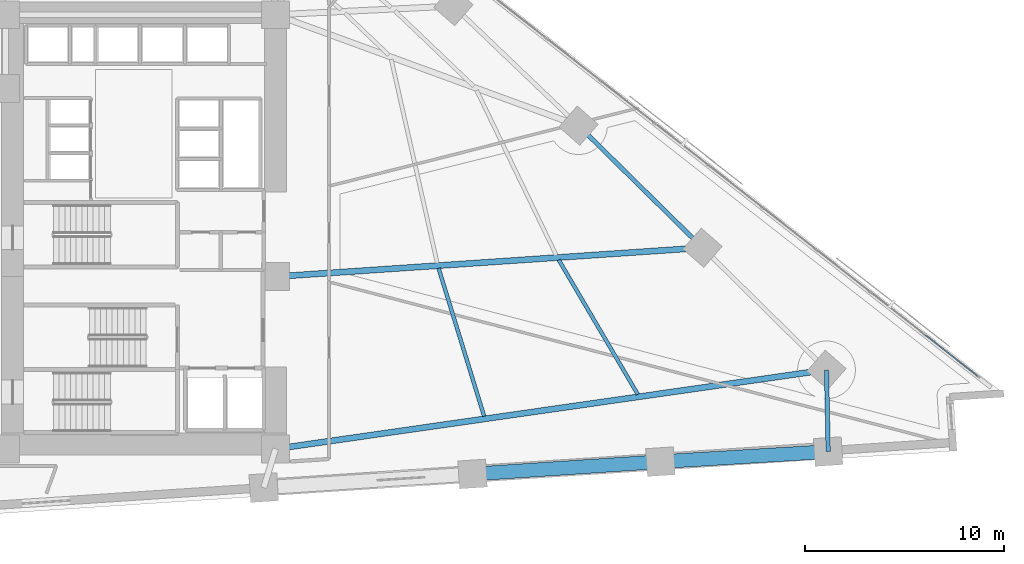
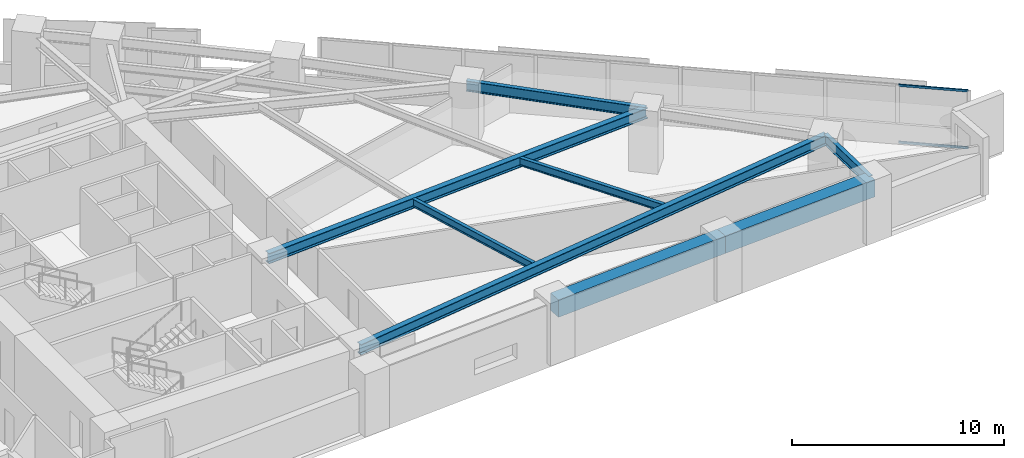
# One storey, part 3 of 16: 8 beams, 2 members, 1 element without a shape of its own.
"""IFC4 building model written with IfcOpenShell, lengths in metres."""

from ifc_helpers import new_model, si_unit, direction, frame, origin, origin_2d, place, context, subcontext, project, spatial, rectangle, hollow_rectangle, i_section, extrude, material, material_profile, profile_set, type_object, element, aggregate, save


model = new_model("IFC4")

# Units and contexts
model_context = context("Model", 3, precision=1e-05, world=origin(), true_north=direction((0.0, 1.0)))
body_context = subcontext(model_context, "Body", "Model", "MODEL_VIEW")
ifc_project = project(units=[si_unit("LENGTHUNIT", "METRE"), si_unit("AREAUNIT", "SQUARE_METRE"), si_unit("VOLUMEUNIT", "CUBIC_METRE"), si_unit("PLANEANGLEUNIT", "RADIAN"), si_unit("MASSUNIT", "GRAM", prefix="KILO")], contexts=[model_context])

# Site, building, storey
site_placement = place(None, origin())
site = spatial("IfcSite", under=ifc_project, at=site_placement, CompositionType="ELEMENT")
building_placement = place(site_placement, origin())
building = spatial("IfcBuilding", under=site, at=building_placement, Name="Narakoshi Arena Tower", CompositionType="ELEMENT")
storey_placement = place(building_placement, frame((0.0, 0.0, 66.89990234375)))
storey = spatial("IfcBuildingStorey", under=building, at=storey_placement, Name="L17", CompositionType="ELEMENT", Elevation=66.89990234375)

# Beams
ifc_material_1 = material(Name="Concrete C60/75", Category="concrete")
ifc_material_profile_1 = material_profile(ifc_material_1, rectangle(XDim=0.699951171875, YDim=1.0, at=origin_2d()), Name="RCB700x1000")
ifc_profile_set_1 = profile_set([ifc_material_profile_1], Name="Concrete C60/75")
beam_type_1 = type_object("IfcBeamType", Name="BM-CPL-1000", PredefinedType="BEAM", material=ifc_profile_set_1)
beam_1_placement = place(storey_placement, frame((95.44189453125, 33.43798828125, 2.840087890625), z_axis=(0.997857667494, 0.065422285367, 0.0), x_axis=(-0.065422285367, 0.997857667494, 0.0)))
element("IfcBeam", 1, at=beam_1_placement, inside=storey, type_object=beam_type_1, Name="L17 Perimeter Edge Girder 02", PredefinedType="BEAM", context=body_context, shape_type="SweptSolid", body=[
    extrude(rectangle(XDim=0.699951171875, YDim=1.0, at=origin_2d()), origin(), (0.0, 0.0, 1.0), 9.456298828125),
])
beam_2_placement = place(storey_placement, frame((104.8779296875, 34.056640625, 2.840087890625), z_axis=(0.998193929855, 0.060073941104, 0.0), x_axis=(-0.060073941104, 0.998193929855, 0.0)))
element("IfcBeam", 2, at=beam_2_placement, inside=storey, type_object=beam_type_1, Name="L17 Perimeter Edge Girder 03", PredefinedType="BEAM", context=body_context, shape_type="SweptSolid", body=[
    extrude(rectangle(XDim=0.699951171875, YDim=1.0, at=origin_2d()), origin(), (0.0, 0.0, 1.0), 8.436767578125),
])
ifc_material_2 = material(Name="Structural steel S355J2", Category="steel")
ifc_material_profile_2 = material_profile(ifc_material_2, i_section(OverallWidth=0.219970703125, OverallDepth=0.60009765625, WebThickness=0.011962890625, FlangeThickness=0.01904296875, FilletRadius=0.02392578125, at=origin_2d()), Name="IPE600")
ifc_profile_set_2 = profile_set([ifc_material_profile_2], Name="Structural steel S355J2")
beam_type_2 = type_object("IfcBeamType", Name="BM-EDGE-600", PredefinedType="BEAM", material=ifc_profile_set_2)
beam_3_placement = place(storey_placement, frame((113.299560546875, 34.5634765625, 3.0400390625), z_axis=(-0.020272933264, 0.99979448297, 0.0), x_axis=(-0.99979448297, -0.020272933264, 0.0)))
element("IfcBeam", 3, at=beam_3_placement, inside=storey, type_object=beam_type_2, Name="L17 Perimeter Edge Girder 04", PredefinedType="BEAM", context=body_context, shape_type="SweptSolid", body=[
    extrude(i_section(OverallWidth=0.219970703125, OverallDepth=0.60009765625, WebThickness=0.011962890625, FlangeThickness=0.01904296875, FilletRadius=0.02392578125, at=origin_2d()), origin(), (0.0, 0.0, 1.0), 4.1064453125),
])
beam_4_placement = place(storey_placement, frame((106.989990234375, 44.800537109375, 3.0400390625), z_axis=(-0.71256144736, 0.701609708981, 0.0), x_axis=(-0.701609708981, -0.71256144736, 0.0)))
element("IfcBeam", 4, at=beam_4_placement, inside=storey, type_object=beam_type_2, Name="L17 Perimeter Edge Girder 06", PredefinedType="BEAM", context=body_context, shape_type="SweptSolid", body=[
    extrude(i_section(OverallWidth=0.219970703125, OverallDepth=0.60009765625, WebThickness=0.011962890625, FlangeThickness=0.01904296875, FilletRadius=0.02392578125, at=origin_2d()), origin(), (0.0, 0.0, 1.0), 8.738525390625),
])
ifc_material_profile_3 = material_profile(ifc_material_2, i_section(OverallWidth=0.300048828125, OverallDepth=0.60009765625, WebThickness=0.015380859375, FlangeThickness=0.030029296875, FilletRadius=0.027099609375, at=origin_2d()), Name="HE600B")
ifc_profile_set_3 = profile_set([ifc_material_profile_3], Name="Structural steel S355J2")
beam_type_3 = type_object("IfcBeamType", Name="BM-PRI-600", PredefinedType="BEAM", material=ifc_profile_set_3)
beam_5_placement = place(storey_placement, frame((85.550048828125, 34.699951171875, 3.0400390625), z_axis=(0.989864586002, 0.142014440741, 0.0), x_axis=(-0.142014440741, 0.989864586002, 0.0)))
element("IfcBeam", 5, at=beam_5_placement, inside=storey, type_object=beam_type_3, Name="L17 Radial Primary Floor Girder 05", PredefinedType="BEAM", context=body_context, shape_type="SweptSolid", body=[
    extrude(i_section(OverallWidth=0.300048828125, OverallDepth=0.60009765625, WebThickness=0.015380859375, FlangeThickness=0.030029296875, FilletRadius=0.027099609375, at=origin_2d()), origin(), (0.0, 0.0, 1.0), 27.949462890625),
])
beam_6_placement = place(storey_placement, frame((85.550048828125, 43.35009765625, 3.0400390625), z_axis=(0.997719477205, 0.067496998498, 0.0), x_axis=(-0.067496998498, 0.997719477205, 0.0)))
element("IfcBeam", 6, at=beam_6_placement, inside=storey, type_object=beam_type_3, Name="L17 Radial Primary Floor Girder 06", PredefinedType="BEAM", context=body_context, shape_type="SweptSolid", body=[
    extrude(i_section(OverallWidth=0.300048828125, OverallDepth=0.60009765625, WebThickness=0.015380859375, FlangeThickness=0.030029296875, FilletRadius=0.027099609375, at=origin_2d()), origin(), (0.0, 0.0, 1.0), 21.489013671875),
])
ifc_material_profile_4 = material_profile(ifc_material_2, i_section(OverallWidth=0.18994140625, OverallDepth=0.449951171875, WebThickness=0.009521484375, FlangeThickness=0.0146484375, FilletRadius=0.02099609375, at=origin_2d()), Name="IPE450")
ifc_profile_set_4 = profile_set([ifc_material_profile_4], Name="Structural steel S355J2")
beam_type_4 = type_object("IfcBeamType", Name="BM-SEC-450", PredefinedType="JOIST", material=ifc_profile_set_4)
beam_7_placement = place(storey_placement, frame((96.0234375, 36.33740234375, 3.114990234375), z_axis=(-0.293966747192, 0.955815647259, 0.0), x_axis=(-0.955815647259, -0.293966747192, 0.0)))
element("IfcBeam", 7, at=beam_7_placement, inside=storey, type_object=beam_type_4, Name="L17 Composite Secondary Floor Joist 01", PredefinedType="JOIST", context=body_context, shape_type="SweptSolid", body=[
    extrude(i_section(OverallWidth=0.18994140625, OverallDepth=0.449951171875, WebThickness=0.009521484375, FlangeThickness=0.0146484375, FilletRadius=0.02099609375, at=origin_2d()), origin(), (0.0, 0.0, 1.0), 7.778564453125),
])
beam_8_placement = place(storey_placement, frame((103.741455078125, 37.43603515625, 3.114990234375), z_axis=(-0.50694388047, 0.861979061262, 0.0), x_axis=(-0.861979061262, -0.50694388047, 0.0)))
element("IfcBeam", 8, at=beam_8_placement, inside=storey, type_object=beam_type_4, Name="L17 Composite Secondary Floor Joist 02", PredefinedType="JOIST", context=body_context, shape_type="SweptSolid", body=[
    extrude(i_section(OverallWidth=0.18994140625, OverallDepth=0.449951171875, WebThickness=0.009521484375, FlangeThickness=0.0146484375, FilletRadius=0.02099609375, at=origin_2d()), origin(), (0.0, 0.0, 1.0), 7.83642578125),
])

# Curtain wall, members
ifc_material_3 = material(Name="Anodised bronze aluminium 6063-T6", Category="aluminium")
curtain_wall_type = type_object("IfcCurtainWallType", Name="CW-HYP-LOW", PredefinedType="NOTDEFINED", material=ifc_material_3)
curtain_wall_placement = place(storey_placement, origin())
curtain_wall = element("IfcCurtainWall", 9, at=curtain_wall_placement, inside=storey, type_object=curtain_wall_type, Name="L17 Folded Hypotenuse Curtain Wall 1-1", PredefinedType="NOTDEFINED")
ifc_material_profile_5 = material_profile(ifc_material_3, hollow_rectangle(XDim=0.06494140625, YDim=0.1298828125, WallThickness=0.00390625, OuterFilletRadius=0.0048828125, at=origin_2d()), Name="TRN130x65x4")
ifc_profile_set_5 = profile_set([ifc_material_profile_5], Name="Anodised bronze aluminium 6063-T6")
member_type = type_object("IfcMemberType", Name="MEM-TRN-130", PredefinedType="USERDEFINED", material=ifc_profile_set_5)
member_1_placement = place(storey_placement, frame((120.802978515625, 38.359130859375, 0.03271484375), z_axis=(-0.787347227026, 0.616509808596, 0.0), x_axis=(-0.616509808596, -0.787347227026, 0.0)))
member_1 = element("IfcMember", 10, at=member_1_placement, type_object=member_type, Name="CW-01 transom 1.1", ObjectType="TRANSOM", PredefinedType="USERDEFINED", context=body_context, shape_type="SweptSolid", body=[
    extrude(hollow_rectangle(XDim=0.06494140625, YDim=0.1298828125, WallThickness=0.00390625, OuterFilletRadius=0.0048828125, at=origin_2d()), origin(), (0.0, 0.0, 1.0), 3.331298828125),
])
member_2_placement = place(storey_placement, frame((120.802978515625, 38.359130859375, 3.3076171875), z_axis=(-0.787347227026, 0.616509808596, 0.0), x_axis=(-0.616509808596, -0.787347227026, 0.0)))
member_2 = element("IfcMember", 11, at=member_2_placement, type_object=member_type, Name="CW-01 transom 1.2", ObjectType="TRANSOM", PredefinedType="USERDEFINED", context=body_context, shape_type="SweptSolid", body=[
    extrude(hollow_rectangle(XDim=0.06494140625, YDim=0.1298828125, WallThickness=0.00390625, OuterFilletRadius=0.0048828125, at=origin_2d()), origin(), (0.0, 0.0, 1.0), 3.331298828125),
])
aggregate(curtain_wall, [member_1, member_2])

save(model, "model.ifc")
